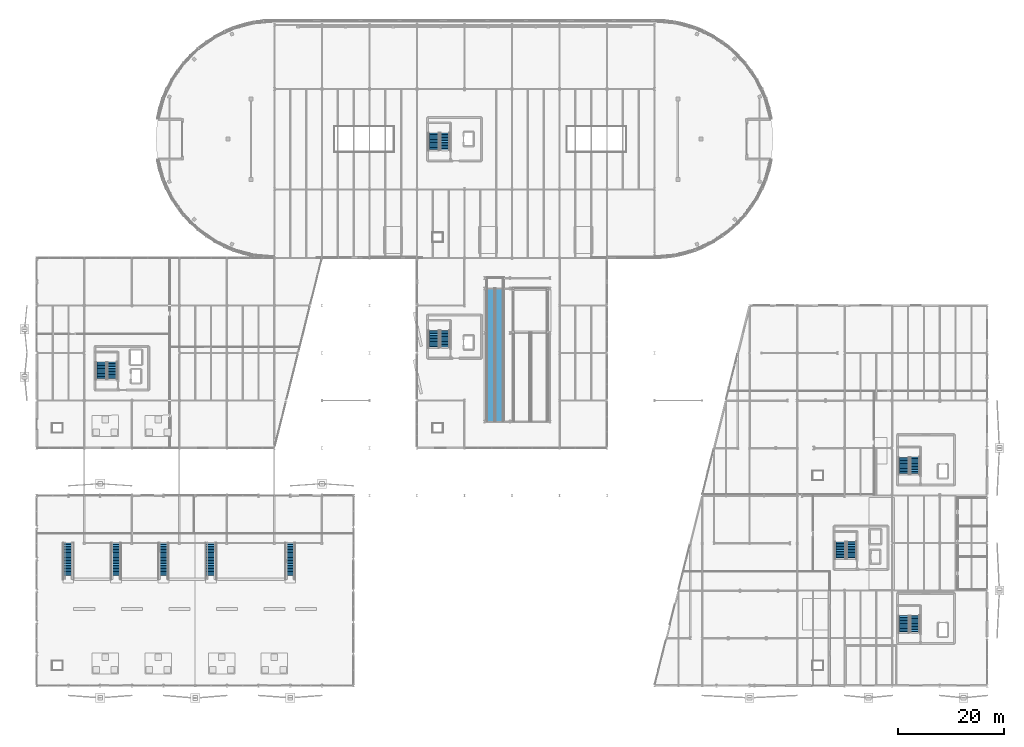
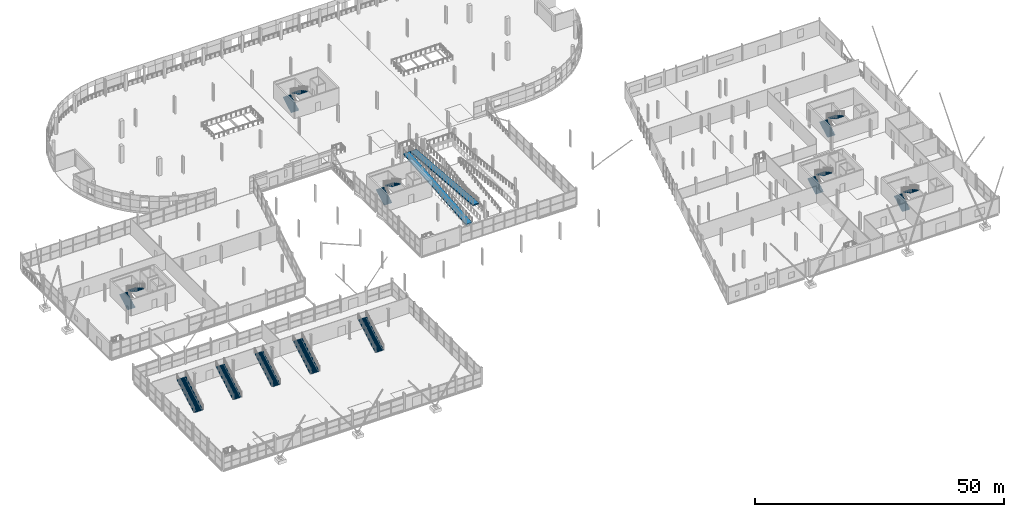
# One storey, part 126 of 140: 17 stair flights, 2 ramp flights, 12 elements without a shape of their own.
"""IFC4 building model written with IfcOpenShell, lengths in metres."""

from ifc_helpers import new_model, si_unit, direction, frame, origin, place, context, subcontext, project, spatial, polyline, outline, extrude, material, layer, layer_set, type_object, element, aggregate, save


model = new_model("IFC4")

# Units and contexts
model_context = context("Model", 3, precision=1e-05, world=origin(), true_north=direction((0.0, 1.0)))
body_context = subcontext(model_context, "Body", "Model", "MODEL_VIEW")
ifc_project = project(units=[si_unit("LENGTHUNIT", "METRE"), si_unit("AREAUNIT", "SQUARE_METRE"), si_unit("VOLUMEUNIT", "CUBIC_METRE"), si_unit("PLANEANGLEUNIT", "RADIAN"), si_unit("MASSUNIT", "GRAM", prefix="KILO")], contexts=[model_context])

# Site, building, storey
site_placement = place(None, origin())
site = spatial("IfcSite", under=ifc_project, at=site_placement, CompositionType="ELEMENT")
building_placement = place(site_placement, origin())
building = spatial("IfcBuilding", under=site, at=building_placement, Name="Deido Ridge Mobility Hub", CompositionType="ELEMENT")
storey_placement = place(building_placement, origin())
storey = spatial("IfcBuildingStorey", under=building, at=storey_placement, Name="L00", CompositionType="ELEMENT", Elevation=0.0)

# Stair, stair flights
ifc_material_1 = material(Name="Concrete C35/45", Category="concrete")
stair_type_1 = type_object("IfcStairType", Name="ST-CORE-HALF-1520", PredefinedType="HALF_TURN_STAIR", material=ifc_material_1)
stair_1_placement = place(storey_placement, origin())
stair_1 = element("IfcStair", 1, at=stair_1_placement, inside=storey, type_object=stair_type_1, Name="Protected exit stair ST2 (L00)", PredefinedType="HALF_TURN_STAIR")
stair_flight_type_1 = type_object("IfcStairFlightType", Name="SFL-RC-1520", PredefinedType="STRAIGHT", material=ifc_material_1)
stair_flight_1_placement = place(storey_placement, frame((164.2900390625, 39.949951171875, 0.0), z_axis=(0.0, 0.0, 1.0), x_axis=(0.0, 1.0, 0.0)))
stair_flight_1 = element("IfcStairFlight", 2, at=stair_flight_1_placement, type_object=stair_flight_type_1, Name="ST2 flight 1", NumberOfRisers=12, NumberOfTreads=11, PredefinedType="STRAIGHT", RiserHeight=0.175, TreadLength=0.3, context=body_context, shape_type="SweptSolid", body=[
    extrude(outline(polyline([(0.0, 0.0), (0.0, 0.175048828125), (0.300048828125, 0.175048828125), (0.300048828125, 0.35009765625), (0.60009765625, 0.35009765625), (0.60009765625, 0.52490234375), (0.89990234375, 0.52490234375), (0.89990234375, 0.699951171875), (1.199951171875, 0.699951171875), (1.199951171875, 0.875), (1.5, 0.875), (1.5, 1.050048828125), (1.800048828125, 1.050048828125), (1.800048828125, 1.22509765625), (2.10009765625, 1.22509765625), (2.10009765625, 1.39990234375), (2.39990234375, 1.39990234375), (2.39990234375, 1.574951171875), (2.699951171875, 1.574951171875), (2.699951171875, 1.75), (3.0, 1.75), (3.0, 1.925048828125), (3.300048828125, 1.925048828125), (3.300048828125, 2.10009765625), (3.300048828125, 1.716796875), (0.357177734375, 0.0), (0.0, 0.0)])), frame((0.0, 0.89013671875, 0.0), z_axis=(0.0, -1.0, 0.0), x_axis=(1.0, 0.0, 0.0)), (0.0, 0.0, 1.0), 1.780029296875),
])
stair_flight_2_placement = place(storey_placement, frame((166.31005859375, 43.300048828125, 2.10009765625), z_axis=(0.0, 0.0, 1.0), x_axis=(0.0, -1.0, 0.0)))
stair_flight_2 = element("IfcStairFlight", 3, at=stair_flight_2_placement, type_object=stair_flight_type_1, Name="ST2 flight 2", NumberOfRisers=12, NumberOfTreads=11, PredefinedType="STRAIGHT", RiserHeight=0.175, TreadLength=0.3, context=body_context, shape_type="SweptSolid", body=[
    extrude(outline(polyline([(0.0, 0.0), (0.0, 0.175048828125), (0.300048828125, 0.175048828125), (0.300048828125, 0.35009765625), (0.60009765625, 0.35009765625), (0.60009765625, 0.52490234375), (0.89990234375, 0.52490234375), (0.89990234375, 0.699951171875), (1.199951171875, 0.699951171875), (1.199951171875, 0.875), (1.5, 0.875), (1.5, 1.050048828125), (1.800048828125, 1.050048828125), (1.800048828125, 1.22509765625), (2.10009765625, 1.22509765625), (2.10009765625, 1.39990234375), (2.39990234375, 1.39990234375), (2.39990234375, 1.574951171875), (2.699951171875, 1.574951171875), (2.699951171875, 1.75), (3.0, 1.75), (3.0, 1.925048828125), (3.300048828125, 1.925048828125), (3.300048828125, 2.10009765625), (3.300048828125, 1.716796875), (0.357177734375, 0.0), (0.0, 0.0)])), frame((0.0, 0.89013671875, 0.0), z_axis=(0.0, -1.0, 0.0), x_axis=(1.0, 0.0, 0.0)), (0.0, 0.0, 1.0), 1.780029296875),
])
aggregate(stair_1, [stair_flight_1, stair_flight_2])

stair_2_placement = place(storey_placement, origin())
stair_2 = element("IfcStair", 4, at=stair_2_placement, inside=storey, type_object=stair_type_1, Name="Protected exit stair ST3 (L00)", PredefinedType="HALF_TURN_STAIR")
stair_flight_3_placement = place(storey_placement, frame((152.2900390625, 23.949951171875, 0.0), z_axis=(0.0, 0.0, 1.0), x_axis=(0.0, 1.0, 0.0)))
stair_flight_3 = element("IfcStairFlight", 5, at=stair_flight_3_placement, type_object=stair_flight_type_1, Name="ST3 flight 1", NumberOfRisers=12, NumberOfTreads=11, PredefinedType="STRAIGHT", RiserHeight=0.175, TreadLength=0.3, context=body_context, shape_type="SweptSolid", body=[
    extrude(outline(polyline([(0.0, 0.0), (0.0, 0.175048828125), (0.300048828125, 0.175048828125), (0.300048828125, 0.35009765625), (0.60009765625, 0.35009765625), (0.60009765625, 0.52490234375), (0.89990234375, 0.52490234375), (0.89990234375, 0.699951171875), (1.199951171875, 0.699951171875), (1.199951171875, 0.875), (1.5, 0.875), (1.5, 1.050048828125), (1.800048828125, 1.050048828125), (1.800048828125, 1.22509765625), (2.10009765625, 1.22509765625), (2.10009765625, 1.39990234375), (2.39990234375, 1.39990234375), (2.39990234375, 1.574951171875), (2.699951171875, 1.574951171875), (2.699951171875, 1.75), (3.0, 1.75), (3.0, 1.925048828125), (3.300048828125, 1.925048828125), (3.300048828125, 2.10009765625), (3.300048828125, 1.716796875), (0.357177734375, 0.0), (0.0, 0.0)])), frame((0.0, 0.89013671875, 0.0), z_axis=(0.0, -1.0, 0.0), x_axis=(1.0, 0.0, 0.0)), (0.0, 0.0, 1.0), 1.780029296875),
])
stair_flight_4_placement = place(storey_placement, frame((154.31005859375, 27.300048828125, 2.10009765625), z_axis=(0.0, 0.0, 1.0), x_axis=(0.0, -1.0, 0.0)))
stair_flight_4 = element("IfcStairFlight", 6, at=stair_flight_4_placement, type_object=stair_flight_type_1, Name="ST3 flight 2", NumberOfRisers=12, NumberOfTreads=11, PredefinedType="STRAIGHT", RiserHeight=0.175, TreadLength=0.3, context=body_context, shape_type="SweptSolid", body=[
    extrude(outline(polyline([(0.0, 0.0), (0.0, 0.175048828125), (0.300048828125, 0.175048828125), (0.300048828125, 0.35009765625), (0.60009765625, 0.35009765625), (0.60009765625, 0.52490234375), (0.89990234375, 0.52490234375), (0.89990234375, 0.699951171875), (1.199951171875, 0.699951171875), (1.199951171875, 0.875), (1.5, 0.875), (1.5, 1.050048828125), (1.800048828125, 1.050048828125), (1.800048828125, 1.22509765625), (2.10009765625, 1.22509765625), (2.10009765625, 1.39990234375), (2.39990234375, 1.39990234375), (2.39990234375, 1.574951171875), (2.699951171875, 1.574951171875), (2.699951171875, 1.75), (3.0, 1.75), (3.0, 1.925048828125), (3.300048828125, 1.925048828125), (3.300048828125, 2.10009765625), (3.300048828125, 1.716796875), (0.357177734375, 0.0), (0.0, 0.0)])), frame((0.0, 0.89013671875, 0.0), z_axis=(0.0, -1.0, 0.0), x_axis=(1.0, 0.0, 0.0)), (0.0, 0.0, 1.0), 1.780029296875),
])
aggregate(stair_2, [stair_flight_3, stair_flight_4])

stair_type_2 = type_object("IfcStairType", Name="ST-CORE-DBL-1520", PredefinedType="DOUBLE_RETURN_STAIR", material=ifc_material_1)
stair_3_placement = place(storey_placement, origin())
stair_3 = element("IfcStair", 7, at=stair_3_placement, inside=storey, type_object=stair_type_2, Name="Protected exit stair ST4 (L00)", PredefinedType="DOUBLE_RETURN_STAIR")
stair_flight_5_placement = place(storey_placement, frame((75.2900390625, 63.949951171875, 0.0), z_axis=(0.0, 0.0, 1.0), x_axis=(0.0, 1.0, 0.0)))
stair_flight_5 = element("IfcStairFlight", 8, at=stair_flight_5_placement, type_object=stair_flight_type_1, Name="ST4 flight 1", NumberOfRisers=12, NumberOfTreads=11, PredefinedType="STRAIGHT", RiserHeight=0.175, TreadLength=0.3, context=body_context, shape_type="SweptSolid", body=[
    extrude(outline(polyline([(0.0, 0.0), (0.0, 0.175048828125), (0.300048828125, 0.175048828125), (0.300048828125, 0.35009765625), (0.60009765625, 0.35009765625), (0.60009765625, 0.52490234375), (0.89990234375, 0.52490234375), (0.89990234375, 0.699951171875), (1.199951171875, 0.699951171875), (1.199951171875, 0.875), (1.5, 0.875), (1.5, 1.050048828125), (1.800048828125, 1.050048828125), (1.800048828125, 1.22509765625), (2.10009765625, 1.22509765625), (2.10009765625, 1.39990234375), (2.39990234375, 1.39990234375), (2.39990234375, 1.574951171875), (2.699951171875, 1.574951171875), (2.699951171875, 1.75), (3.0, 1.75), (3.0, 1.925048828125), (3.300048828125, 1.925048828125), (3.300048828125, 2.10009765625), (3.300048828125, 1.716796875), (0.357177734375, 0.0), (0.0, 0.0)])), frame((0.0, 0.89013671875, 0.0), z_axis=(0.0, -1.0, 0.0), x_axis=(1.0, 0.0, 0.0)), (0.0, 0.0, 1.0), 1.780029296875),
])
stair_flight_6_placement = place(storey_placement, frame((77.31005859375, 67.300048828125, 2.10009765625), z_axis=(0.0, 0.0, 1.0), x_axis=(0.0, -1.0, 0.0)))
stair_flight_6 = element("IfcStairFlight", 9, at=stair_flight_6_placement, type_object=stair_flight_type_1, Name="ST4 flight 2", NumberOfRisers=12, NumberOfTreads=11, PredefinedType="STRAIGHT", RiserHeight=0.175, TreadLength=0.3, context=body_context, shape_type="SweptSolid", body=[
    extrude(outline(polyline([(0.0, 0.0), (0.0, 0.175048828125), (0.300048828125, 0.175048828125), (0.300048828125, 0.35009765625), (0.60009765625, 0.35009765625), (0.60009765625, 0.52490234375), (0.89990234375, 0.52490234375), (0.89990234375, 0.699951171875), (1.199951171875, 0.699951171875), (1.199951171875, 0.875), (1.5, 0.875), (1.5, 1.050048828125), (1.800048828125, 1.050048828125), (1.800048828125, 1.22509765625), (2.10009765625, 1.22509765625), (2.10009765625, 1.39990234375), (2.39990234375, 1.39990234375), (2.39990234375, 1.574951171875), (2.699951171875, 1.574951171875), (2.699951171875, 1.75), (3.0, 1.75), (3.0, 1.925048828125), (3.300048828125, 1.925048828125), (3.300048828125, 2.10009765625), (3.300048828125, 1.716796875), (0.357177734375, 0.0), (0.0, 0.0)])), frame((0.0, 0.89013671875, 0.0), z_axis=(0.0, -1.0, 0.0), x_axis=(1.0, 0.0, 0.0)), (0.0, 0.0, 1.0), 1.780029296875),
])
aggregate(stair_3, [stair_flight_5, stair_flight_6])

stair_4_placement = place(storey_placement, origin())
stair_4 = element("IfcStair", 10, at=stair_4_placement, inside=storey, type_object=stair_type_2, Name="Protected exit stair ST5 (L00)", PredefinedType="DOUBLE_RETURN_STAIR")
stair_flight_7_placement = place(storey_placement, frame((75.2900390625, 101.35009765625, 0.0), z_axis=(0.0, 0.0, 1.0), x_axis=(0.0, 1.0, 0.0)))
stair_flight_7 = element("IfcStairFlight", 11, at=stair_flight_7_placement, type_object=stair_flight_type_1, Name="ST5 flight 1", NumberOfRisers=12, NumberOfTreads=11, PredefinedType="STRAIGHT", RiserHeight=0.175, TreadLength=0.3, context=body_context, shape_type="SweptSolid", body=[
    extrude(outline(polyline([(0.0, 0.0), (0.0, 0.175048828125), (0.300048828125, 0.175048828125), (0.300048828125, 0.35009765625), (0.60009765625, 0.35009765625), (0.60009765625, 0.52490234375), (0.89990234375, 0.52490234375), (0.89990234375, 0.699951171875), (1.199951171875, 0.699951171875), (1.199951171875, 0.875), (1.5, 0.875), (1.5, 1.050048828125), (1.800048828125, 1.050048828125), (1.800048828125, 1.22509765625), (2.10009765625, 1.22509765625), (2.10009765625, 1.39990234375), (2.39990234375, 1.39990234375), (2.39990234375, 1.574951171875), (2.699951171875, 1.574951171875), (2.699951171875, 1.75), (3.0, 1.75), (3.0, 1.925048828125), (3.300048828125, 1.925048828125), (3.300048828125, 2.10009765625), (3.300048828125, 1.716796875), (0.357177734375, 0.0), (0.0, 0.0)])), frame((0.0, 0.89013671875, 0.0), z_axis=(0.0, -1.0, 0.0), x_axis=(1.0, 0.0, 0.0)), (0.0, 0.0, 1.0), 1.780029296875),
])
stair_flight_8_placement = place(storey_placement, frame((77.31005859375, 104.699951171875, 2.10009765625), z_axis=(0.0, 0.0, 1.0), x_axis=(0.0, -1.0, 0.0)))
stair_flight_8 = element("IfcStairFlight", 12, at=stair_flight_8_placement, type_object=stair_flight_type_1, Name="ST5 flight 2", NumberOfRisers=12, NumberOfTreads=11, PredefinedType="STRAIGHT", RiserHeight=0.175, TreadLength=0.3, context=body_context, shape_type="SweptSolid", body=[
    extrude(outline(polyline([(0.0, 0.0), (0.0, 0.175048828125), (0.300048828125, 0.175048828125), (0.300048828125, 0.35009765625), (0.60009765625, 0.35009765625), (0.60009765625, 0.52490234375), (0.89990234375, 0.52490234375), (0.89990234375, 0.699951171875), (1.199951171875, 0.699951171875), (1.199951171875, 0.875), (1.5, 0.875), (1.5, 1.050048828125), (1.800048828125, 1.050048828125), (1.800048828125, 1.22509765625), (2.10009765625, 1.22509765625), (2.10009765625, 1.39990234375), (2.39990234375, 1.39990234375), (2.39990234375, 1.574951171875), (2.699951171875, 1.574951171875), (2.699951171875, 1.75), (3.0, 1.75), (3.0, 1.925048828125), (3.300048828125, 1.925048828125), (3.300048828125, 2.10009765625), (3.300048828125, 1.716796875), (0.357177734375, 0.0), (0.0, 0.0)])), frame((0.0, 0.89013671875, 0.0), z_axis=(0.0, -1.0, 0.0), x_axis=(1.0, 0.0, 0.0)), (0.0, 0.0, 1.0), 1.780029296875),
])
aggregate(stair_4, [stair_flight_7, stair_flight_8])

stair_5_placement = place(storey_placement, origin())
stair_5 = element("IfcStair", 13, at=stair_5_placement, inside=storey, type_object=stair_type_1, Name="Protected exit stair ST6 (L00)", PredefinedType="HALF_TURN_STAIR")
stair_flight_9_placement = place(storey_placement, frame((12.2900390625, 57.949951171875, 0.0), z_axis=(0.0, 0.0, 1.0), x_axis=(0.0, 1.0, 0.0)))
stair_flight_9 = element("IfcStairFlight", 14, at=stair_flight_9_placement, type_object=stair_flight_type_1, Name="ST6 flight 1", NumberOfRisers=12, NumberOfTreads=11, PredefinedType="STRAIGHT", RiserHeight=0.175, TreadLength=0.3, context=body_context, shape_type="SweptSolid", body=[
    extrude(outline(polyline([(0.0, 0.0), (0.0, 0.175048828125), (0.300048828125, 0.175048828125), (0.300048828125, 0.35009765625), (0.60009765625, 0.35009765625), (0.60009765625, 0.52490234375), (0.89990234375, 0.52490234375), (0.89990234375, 0.699951171875), (1.199951171875, 0.699951171875), (1.199951171875, 0.875), (1.5, 0.875), (1.5, 1.050048828125), (1.800048828125, 1.050048828125), (1.800048828125, 1.22509765625), (2.10009765625, 1.22509765625), (2.10009765625, 1.39990234375), (2.39990234375, 1.39990234375), (2.39990234375, 1.574951171875), (2.699951171875, 1.574951171875), (2.699951171875, 1.75), (3.0, 1.75), (3.0, 1.925048828125), (3.300048828125, 1.925048828125), (3.300048828125, 2.10009765625), (3.300048828125, 1.716796875), (0.357177734375, 0.0), (0.0, 0.0)])), frame((0.0, 0.89013671875, 0.0), z_axis=(0.0, -1.0, 0.0), x_axis=(1.0, 0.0, 0.0)), (0.0, 0.0, 1.0), 1.780029296875),
])
stair_flight_10_placement = place(storey_placement, frame((14.31005859375, 61.300048828125, 2.10009765625), z_axis=(0.0, 0.0, 1.0), x_axis=(0.0, -1.0, 0.0)))
stair_flight_10 = element("IfcStairFlight", 15, at=stair_flight_10_placement, type_object=stair_flight_type_1, Name="ST6 flight 2", NumberOfRisers=12, NumberOfTreads=11, PredefinedType="STRAIGHT", RiserHeight=0.175, TreadLength=0.3, context=body_context, shape_type="SweptSolid", body=[
    extrude(outline(polyline([(0.0, 0.0), (0.0, 0.175048828125), (0.300048828125, 0.175048828125), (0.300048828125, 0.35009765625), (0.60009765625, 0.35009765625), (0.60009765625, 0.52490234375), (0.89990234375, 0.52490234375), (0.89990234375, 0.699951171875), (1.199951171875, 0.699951171875), (1.199951171875, 0.875), (1.5, 0.875), (1.5, 1.050048828125), (1.800048828125, 1.050048828125), (1.800048828125, 1.22509765625), (2.10009765625, 1.22509765625), (2.10009765625, 1.39990234375), (2.39990234375, 1.39990234375), (2.39990234375, 1.574951171875), (2.699951171875, 1.574951171875), (2.699951171875, 1.75), (3.0, 1.75), (3.0, 1.925048828125), (3.300048828125, 1.925048828125), (3.300048828125, 2.10009765625), (3.300048828125, 1.716796875), (0.357177734375, 0.0), (0.0, 0.0)])), frame((0.0, 0.89013671875, 0.0), z_axis=(0.0, -1.0, 0.0), x_axis=(1.0, 0.0, 0.0)), (0.0, 0.0, 1.0), 1.780029296875),
])
aggregate(stair_5, [stair_flight_9, stair_flight_10])

stair_6_placement = place(storey_placement, origin())
stair_6 = element("IfcStair", 16, at=stair_6_placement, inside=storey, type_object=stair_type_1, Name="Protected exit stair ST1 (L00)", PredefinedType="HALF_TURN_STAIR")
stair_flight_type_2 = type_object("IfcStairFlightType", Name="SFL-RC-1560", PredefinedType="STRAIGHT", material=ifc_material_1)
stair_flight_11_placement = place(storey_placement, frame((164.2900390625, 9.949951171875, 0.0), z_axis=(0.0, 0.0, 1.0), x_axis=(0.0, 1.0, 0.0)))
stair_flight_11 = element("IfcStairFlight", 17, at=stair_flight_11_placement, type_object=stair_flight_type_2, Name="ST1 flight 1", NumberOfRisers=12, NumberOfTreads=11, PredefinedType="STRAIGHT", RiserHeight=0.175, TreadLength=0.3, context=body_context, shape_type="SweptSolid", body=[
    extrude(outline(polyline([(0.0, 0.0), (0.0, 0.175048828125), (0.300048828125, 0.175048828125), (0.300048828125, 0.35009765625), (0.60009765625, 0.35009765625), (0.60009765625, 0.52490234375), (0.89990234375, 0.52490234375), (0.89990234375, 0.699951171875), (1.199951171875, 0.699951171875), (1.199951171875, 0.875), (1.5, 0.875), (1.5, 1.050048828125), (1.800048828125, 1.050048828125), (1.800048828125, 1.22509765625), (2.10009765625, 1.22509765625), (2.10009765625, 1.39990234375), (2.39990234375, 1.39990234375), (2.39990234375, 1.574951171875), (2.699951171875, 1.574951171875), (2.699951171875, 1.75), (3.0, 1.75), (3.0, 1.925048828125), (3.300048828125, 1.925048828125), (3.300048828125, 2.10009765625), (3.300048828125, 1.716796875), (0.357177734375, 0.0), (0.0, 0.0)])), frame((0.0, 0.89013671875, 0.0), z_axis=(0.0, -1.0, 0.0), x_axis=(1.0, 0.0, 0.0)), (0.0, 0.0, 1.0), 1.780029296875),
])
stair_flight_12_placement = place(storey_placement, frame((166.31005859375, 13.300048828125, 2.10009765625), z_axis=(0.0, 0.0, 1.0), x_axis=(0.0, -1.0, 0.0)))
stair_flight_12 = element("IfcStairFlight", 18, at=stair_flight_12_placement, type_object=stair_flight_type_2, Name="ST1 flight 2", NumberOfRisers=12, NumberOfTreads=11, PredefinedType="STRAIGHT", RiserHeight=0.175, TreadLength=0.3, context=body_context, shape_type="SweptSolid", body=[
    extrude(outline(polyline([(0.0, 0.0), (0.0, 0.175048828125), (0.300048828125, 0.175048828125), (0.300048828125, 0.35009765625), (0.60009765625, 0.35009765625), (0.60009765625, 0.52490234375), (0.89990234375, 0.52490234375), (0.89990234375, 0.699951171875), (1.199951171875, 0.699951171875), (1.199951171875, 0.875), (1.5, 0.875), (1.5, 1.050048828125), (1.800048828125, 1.050048828125), (1.800048828125, 1.22509765625), (2.10009765625, 1.22509765625), (2.10009765625, 1.39990234375), (2.39990234375, 1.39990234375), (2.39990234375, 1.574951171875), (2.699951171875, 1.574951171875), (2.699951171875, 1.75), (3.0, 1.75), (3.0, 1.925048828125), (3.300048828125, 1.925048828125), (3.300048828125, 2.10009765625), (3.300048828125, 1.716796875), (0.357177734375, 0.0), (0.0, 0.0)])), frame((0.0, 0.89013671875, 0.0), z_axis=(0.0, -1.0, 0.0), x_axis=(1.0, 0.0, 0.0)), (0.0, 0.0, 1.0), 1.780029296875),
])
aggregate(stair_6, [stair_flight_11, stair_flight_12])

# Stair, stair flight
ifc_material_2 = material(Name="Steel S355J2 EN 10025-2", Category="steel")
stair_type_3 = type_object("IfcStairType", Name="ST-CONC-STR-1800", PredefinedType="STRAIGHT_RUN_STAIR", material=ifc_material_2)
stair_7_placement = place(storey_placement, origin())
stair_7 = element("IfcStair", 19, at=stair_7_placement, inside=storey, type_object=stair_type_3, Name="Concourse mezzanine stair ST8", PredefinedType="STRAIGHT_RUN_STAIR")
stair_flight_type_3 = type_object("IfcStairFlightType", Name="SFL-STL-1800", PredefinedType="STRAIGHT", material=ifc_material_2)
stair_flight_13_placement = place(storey_placement, frame((15.0, 20.10009765625, 0.0), z_axis=(0.0, 0.0, 1.0), x_axis=(0.0, 1.0, 0.0)))
stair_flight_13 = element("IfcStairFlight", 20, at=stair_flight_13_placement, type_object=stair_flight_type_3, Name="ST8 flight 1", NumberOfRisers=24, NumberOfTreads=23, PredefinedType="STRAIGHT", RiserHeight=0.175, TreadLength=0.3, context=body_context, shape_type="SweptSolid", body=[
    extrude(outline(polyline([(0.0, 0.0), (0.0, 0.175048828125), (0.300048828125, 0.175048828125), (0.300048828125, 0.35009765625), (0.60009765625, 0.35009765625), (0.60009765625, 0.52490234375), (0.89990234375, 0.52490234375), (0.89990234375, 0.699951171875), (1.199951171875, 0.699951171875), (1.199951171875, 0.875), (1.5, 0.875), (1.5, 1.050048828125), (1.800048828125, 1.050048828125), (1.800048828125, 1.22509765625), (2.10009765625, 1.22509765625), (2.10009765625, 1.39990234375), (2.39990234375, 1.39990234375), (2.39990234375, 1.574951171875), (2.699951171875, 1.574951171875), (2.699951171875, 1.75), (3.0, 1.75), (3.0, 1.925048828125), (3.300048828125, 1.925048828125), (3.300048828125, 2.10009765625), (3.60009765625, 2.10009765625), (3.60009765625, 2.27490234375), (3.89990234375, 2.27490234375), (3.89990234375, 2.449951171875), (4.199951171875, 2.449951171875), (4.199951171875, 2.625), (4.5, 2.625), (4.5, 2.800048828125), (4.800048828125, 2.800048828125), (4.800048828125, 2.97509765625), (5.10009765625, 2.97509765625), (5.10009765625, 3.14990234375), (5.39990234375, 3.14990234375), (5.39990234375, 3.324951171875), (5.699951171875, 3.324951171875), (5.699951171875, 3.5), (6.0, 3.5), (6.0, 3.675048828125), (6.300048828125, 3.675048828125), (6.300048828125, 3.85009765625), (6.60009765625, 3.85009765625), (6.60009765625, 4.02490234375), (6.89990234375, 4.02490234375), (6.89990234375, 4.199951171875), (6.89990234375, 3.80517578125), (0.376953125, 0.0), (0.0, 0.0)])), frame((0.0, 0.9599609375, 0.0), z_axis=(0.0, -1.0, 0.0), x_axis=(1.0, 0.0, 0.0)), (0.0, 0.0, 1.0), 1.919921875),
])
aggregate(stair_7, [stair_flight_13])

stair_8_placement = place(storey_placement, origin())
stair_8 = element("IfcStair", 21, at=stair_8_placement, inside=storey, type_object=stair_type_3, Name="Concourse mezzanine stair ST9", PredefinedType="STRAIGHT_RUN_STAIR")
stair_flight_14_placement = place(storey_placement, frame((24.0, 20.10009765625, 0.0), z_axis=(0.0, 0.0, 1.0), x_axis=(0.0, 1.0, 0.0)))
stair_flight_14 = element("IfcStairFlight", 22, at=stair_flight_14_placement, type_object=stair_flight_type_3, Name="ST9 flight 1", NumberOfRisers=24, NumberOfTreads=23, PredefinedType="STRAIGHT", RiserHeight=0.175, TreadLength=0.3, context=body_context, shape_type="SweptSolid", body=[
    extrude(outline(polyline([(0.0, 0.0), (0.0, 0.175048828125), (0.300048828125, 0.175048828125), (0.300048828125, 0.35009765625), (0.60009765625, 0.35009765625), (0.60009765625, 0.52490234375), (0.89990234375, 0.52490234375), (0.89990234375, 0.699951171875), (1.199951171875, 0.699951171875), (1.199951171875, 0.875), (1.5, 0.875), (1.5, 1.050048828125), (1.800048828125, 1.050048828125), (1.800048828125, 1.22509765625), (2.10009765625, 1.22509765625), (2.10009765625, 1.39990234375), (2.39990234375, 1.39990234375), (2.39990234375, 1.574951171875), (2.699951171875, 1.574951171875), (2.699951171875, 1.75), (3.0, 1.75), (3.0, 1.925048828125), (3.300048828125, 1.925048828125), (3.300048828125, 2.10009765625), (3.60009765625, 2.10009765625), (3.60009765625, 2.27490234375), (3.89990234375, 2.27490234375), (3.89990234375, 2.449951171875), (4.199951171875, 2.449951171875), (4.199951171875, 2.625), (4.5, 2.625), (4.5, 2.800048828125), (4.800048828125, 2.800048828125), (4.800048828125, 2.97509765625), (5.10009765625, 2.97509765625), (5.10009765625, 3.14990234375), (5.39990234375, 3.14990234375), (5.39990234375, 3.324951171875), (5.699951171875, 3.324951171875), (5.699951171875, 3.5), (6.0, 3.5), (6.0, 3.675048828125), (6.300048828125, 3.675048828125), (6.300048828125, 3.85009765625), (6.60009765625, 3.85009765625), (6.60009765625, 4.02490234375), (6.89990234375, 4.02490234375), (6.89990234375, 4.199951171875), (6.89990234375, 3.80517578125), (0.376953125, 0.0), (0.0, 0.0)])), frame((0.0, 0.9599609375, 0.0), z_axis=(0.0, -1.0, 0.0), x_axis=(1.0, 0.0, 0.0)), (0.0, 0.0, 1.0), 1.919921875),
])
aggregate(stair_8, [stair_flight_14])

stair_9_placement = place(storey_placement, origin())
stair_9 = element("IfcStair", 23, at=stair_9_placement, inside=storey, type_object=stair_type_3, Name="Concourse mezzanine stair ST11", PredefinedType="STRAIGHT_RUN_STAIR")
stair_flight_15_placement = place(storey_placement, frame((48.0, 20.10009765625, 0.0), z_axis=(0.0, 0.0, 1.0), x_axis=(0.0, 1.0, 0.0)))
stair_flight_15 = element("IfcStairFlight", 24, at=stair_flight_15_placement, type_object=stair_flight_type_3, Name="ST11 flight 1", NumberOfRisers=24, NumberOfTreads=23, PredefinedType="STRAIGHT", RiserHeight=0.175, TreadLength=0.3, context=body_context, shape_type="SweptSolid", body=[
    extrude(outline(polyline([(0.0, 0.0), (0.0, 0.175048828125), (0.300048828125, 0.175048828125), (0.300048828125, 0.35009765625), (0.60009765625, 0.35009765625), (0.60009765625, 0.52490234375), (0.89990234375, 0.52490234375), (0.89990234375, 0.699951171875), (1.199951171875, 0.699951171875), (1.199951171875, 0.875), (1.5, 0.875), (1.5, 1.050048828125), (1.800048828125, 1.050048828125), (1.800048828125, 1.22509765625), (2.10009765625, 1.22509765625), (2.10009765625, 1.39990234375), (2.39990234375, 1.39990234375), (2.39990234375, 1.574951171875), (2.699951171875, 1.574951171875), (2.699951171875, 1.75), (3.0, 1.75), (3.0, 1.925048828125), (3.300048828125, 1.925048828125), (3.300048828125, 2.10009765625), (3.60009765625, 2.10009765625), (3.60009765625, 2.27490234375), (3.89990234375, 2.27490234375), (3.89990234375, 2.449951171875), (4.199951171875, 2.449951171875), (4.199951171875, 2.625), (4.5, 2.625), (4.5, 2.800048828125), (4.800048828125, 2.800048828125), (4.800048828125, 2.97509765625), (5.10009765625, 2.97509765625), (5.10009765625, 3.14990234375), (5.39990234375, 3.14990234375), (5.39990234375, 3.324951171875), (5.699951171875, 3.324951171875), (5.699951171875, 3.5), (6.0, 3.5), (6.0, 3.675048828125), (6.300048828125, 3.675048828125), (6.300048828125, 3.85009765625), (6.60009765625, 3.85009765625), (6.60009765625, 4.02490234375), (6.89990234375, 4.02490234375), (6.89990234375, 4.199951171875), (6.89990234375, 3.80517578125), (0.376953125, 0.0), (0.0, 0.0)])), frame((0.0, 0.9599609375, 0.0), z_axis=(0.0, -1.0, 0.0), x_axis=(1.0, 0.0, 0.0)), (0.0, 0.0, 1.0), 1.919921875),
])
aggregate(stair_9, [stair_flight_15])

stair_type_4 = type_object("IfcStairType", Name="ST-CONC-STR-2100", PredefinedType="STRAIGHT_RUN_STAIR", material=ifc_material_2)
stair_10_placement = place(storey_placement, origin())
stair_10 = element("IfcStair", 25, at=stair_10_placement, inside=storey, type_object=stair_type_4, Name="Concourse mezzanine stair ST7", PredefinedType="STRAIGHT_RUN_STAIR")
stair_flight_type_4 = type_object("IfcStairFlightType", Name="SFL-STL-2100", PredefinedType="STRAIGHT", material=ifc_material_2)
stair_flight_16_placement = place(storey_placement, frame((6.0, 20.10009765625, 0.0), z_axis=(0.0, 0.0, 1.0), x_axis=(0.0, 1.0, 0.0)))
stair_flight_16 = element("IfcStairFlight", 26, at=stair_flight_16_placement, type_object=stair_flight_type_4, Name="ST7 flight 1", NumberOfRisers=24, NumberOfTreads=23, PredefinedType="STRAIGHT", RiserHeight=0.175, TreadLength=0.3, context=body_context, shape_type="SweptSolid", body=[
    extrude(outline(polyline([(0.0, 0.0), (0.0, 0.175048828125), (0.300048828125, 0.175048828125), (0.300048828125, 0.35009765625), (0.60009765625, 0.35009765625), (0.60009765625, 0.52490234375), (0.89990234375, 0.52490234375), (0.89990234375, 0.699951171875), (1.199951171875, 0.699951171875), (1.199951171875, 0.875), (1.5, 0.875), (1.5, 1.050048828125), (1.800048828125, 1.050048828125), (1.800048828125, 1.22509765625), (2.10009765625, 1.22509765625), (2.10009765625, 1.39990234375), (2.39990234375, 1.39990234375), (2.39990234375, 1.574951171875), (2.699951171875, 1.574951171875), (2.699951171875, 1.75), (3.0, 1.75), (3.0, 1.925048828125), (3.300048828125, 1.925048828125), (3.300048828125, 2.10009765625), (3.60009765625, 2.10009765625), (3.60009765625, 2.27490234375), (3.89990234375, 2.27490234375), (3.89990234375, 2.449951171875), (4.199951171875, 2.449951171875), (4.199951171875, 2.625), (4.5, 2.625), (4.5, 2.800048828125), (4.800048828125, 2.800048828125), (4.800048828125, 2.97509765625), (5.10009765625, 2.97509765625), (5.10009765625, 3.14990234375), (5.39990234375, 3.14990234375), (5.39990234375, 3.324951171875), (5.699951171875, 3.324951171875), (5.699951171875, 3.5), (6.0, 3.5), (6.0, 3.675048828125), (6.300048828125, 3.675048828125), (6.300048828125, 3.85009765625), (6.60009765625, 3.85009765625), (6.60009765625, 4.02490234375), (6.89990234375, 4.02490234375), (6.89990234375, 4.199951171875), (6.89990234375, 3.80517578125), (0.376953125, 0.0), (0.0, 0.0)])), frame((0.0, 1.050048828125, 0.0), z_axis=(0.0, -1.0, 0.0), x_axis=(1.0, 0.0, 0.0)), (0.0, 0.0, 1.0), 2.10009765625),
])
aggregate(stair_10, [stair_flight_16])

stair_11_placement = place(storey_placement, origin())
stair_11 = element("IfcStair", 27, at=stair_11_placement, inside=storey, type_object=stair_type_4, Name="Concourse mezzanine stair ST10", PredefinedType="STRAIGHT_RUN_STAIR")
stair_flight_17_placement = place(storey_placement, frame((33.0, 20.10009765625, 0.0), z_axis=(0.0, 0.0, 1.0), x_axis=(0.0, 1.0, 0.0)))
stair_flight_17 = element("IfcStairFlight", 28, at=stair_flight_17_placement, type_object=stair_flight_type_4, Name="ST10 flight 1", NumberOfRisers=24, NumberOfTreads=23, PredefinedType="STRAIGHT", RiserHeight=0.175, TreadLength=0.3, context=body_context, shape_type="SweptSolid", body=[
    extrude(outline(polyline([(0.0, 0.0), (0.0, 0.175048828125), (0.300048828125, 0.175048828125), (0.300048828125, 0.35009765625), (0.60009765625, 0.35009765625), (0.60009765625, 0.52490234375), (0.89990234375, 0.52490234375), (0.89990234375, 0.699951171875), (1.199951171875, 0.699951171875), (1.199951171875, 0.875), (1.5, 0.875), (1.5, 1.050048828125), (1.800048828125, 1.050048828125), (1.800048828125, 1.22509765625), (2.10009765625, 1.22509765625), (2.10009765625, 1.39990234375), (2.39990234375, 1.39990234375), (2.39990234375, 1.574951171875), (2.699951171875, 1.574951171875), (2.699951171875, 1.75), (3.0, 1.75), (3.0, 1.925048828125), (3.300048828125, 1.925048828125), (3.300048828125, 2.10009765625), (3.60009765625, 2.10009765625), (3.60009765625, 2.27490234375), (3.89990234375, 2.27490234375), (3.89990234375, 2.449951171875), (4.199951171875, 2.449951171875), (4.199951171875, 2.625), (4.5, 2.625), (4.5, 2.800048828125), (4.800048828125, 2.800048828125), (4.800048828125, 2.97509765625), (5.10009765625, 2.97509765625), (5.10009765625, 3.14990234375), (5.39990234375, 3.14990234375), (5.39990234375, 3.324951171875), (5.699951171875, 3.324951171875), (5.699951171875, 3.5), (6.0, 3.5), (6.0, 3.675048828125), (6.300048828125, 3.675048828125), (6.300048828125, 3.85009765625), (6.60009765625, 3.85009765625), (6.60009765625, 4.02490234375), (6.89990234375, 4.02490234375), (6.89990234375, 4.199951171875), (6.89990234375, 3.80517578125), (0.376953125, 0.0), (0.0, 0.0)])), frame((0.0, 1.050048828125, 0.0), z_axis=(0.0, -1.0, 0.0), x_axis=(1.0, 0.0, 0.0)), (0.0, 0.0, 1.0), 2.10009765625),
])
aggregate(stair_11, [stair_flight_17])

# Ramp, ramp flights
ramp_type = type_object("IfcRampType", Name="RAMP-CYC-STRAIGHT", PredefinedType="STRAIGHT_RUN_RAMP", material=ifc_material_1)
ramp_placement = place(storey_placement, origin())
ramp = element("IfcRamp", 29, at=ramp_placement, inside=storey, type_object=ramp_type, Name="Cycle and accessible ramp CR1 L00", PredefinedType="STRAIGHT_RUN_RAMP")
ifc_layer = layer(ifc_material_1, 0.284912109375, Name="Concrete C35/45")
ifc_layer_set = layer_set([ifc_layer], Name="Concrete C35/45")
ramp_flight_type = type_object("IfcRampFlightType", Name="RFL-CYC-220", PredefinedType="STRAIGHT", material=ifc_layer_set)
ramp_flight_1_placement = place(storey_placement, frame((86.0, 50.0, 0.0), z_axis=(0.0, 0.0, 1.0), x_axis=(0.0, 1.0, 0.0)))
ramp_flight_1 = element("IfcRampFlight", 30, at=ramp_flight_1_placement, type_object=ramp_flight_type, Name="Cycle ramp flight L00-1", PredefinedType="STRAIGHT", context=body_context, shape_type="SweptSolid", body=[
    extrude(outline(polyline([(0.0, 0.0), (0.0, -0.284912109375), (25.199951171875, 1.815185546875), (25.199951171875, 2.10009765625), (0.0, 0.0)])), frame((0.0, 0.72509765625, 0.0), z_axis=(0.0, -1.0, 0.0), x_axis=(1.0, 0.0, 0.0)), (0.0, 0.0, 1.0), 1.449951171875),
])
ramp_flight_2_placement = place(storey_placement, frame((87.60009765625, 75.199951171875, 2.10009765625), z_axis=(0.0, 0.0, 1.0), x_axis=(0.0, -1.0, 0.0)))
ramp_flight_2 = element("IfcRampFlight", 31, at=ramp_flight_2_placement, type_object=ramp_flight_type, Name="Cycle ramp flight L00-2", PredefinedType="STRAIGHT", context=body_context, shape_type="SweptSolid", body=[
    extrude(outline(polyline([(0.0, 0.0), (0.0, -0.284912109375), (25.199951171875, 1.815185546875), (25.199951171875, 2.10009765625), (0.0, 0.0)])), frame((0.0, 0.72509765625, 0.0), z_axis=(0.0, -1.0, 0.0), x_axis=(1.0, 0.0, 0.0)), (0.0, 0.0, 1.0), 1.449951171875),
])
aggregate(ramp, [ramp_flight_1, ramp_flight_2])

save(model, "model.ifc")
